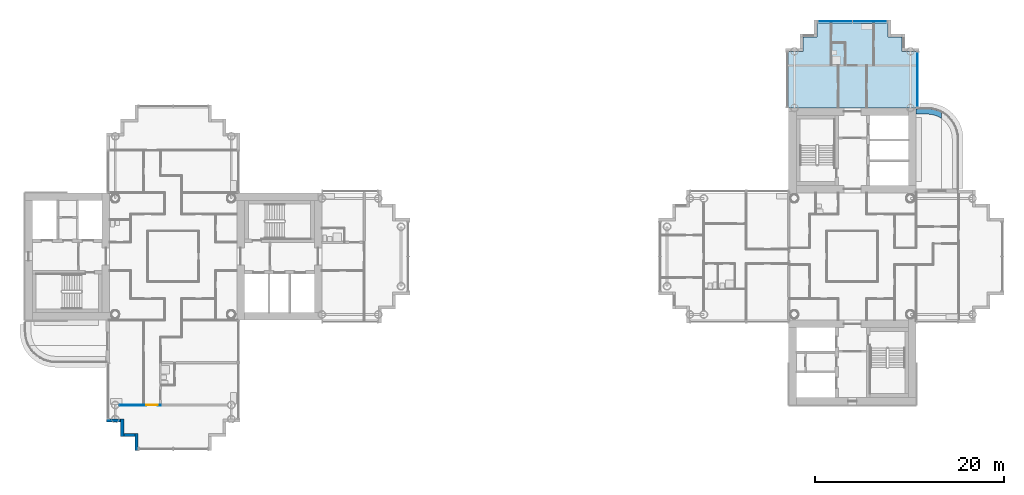
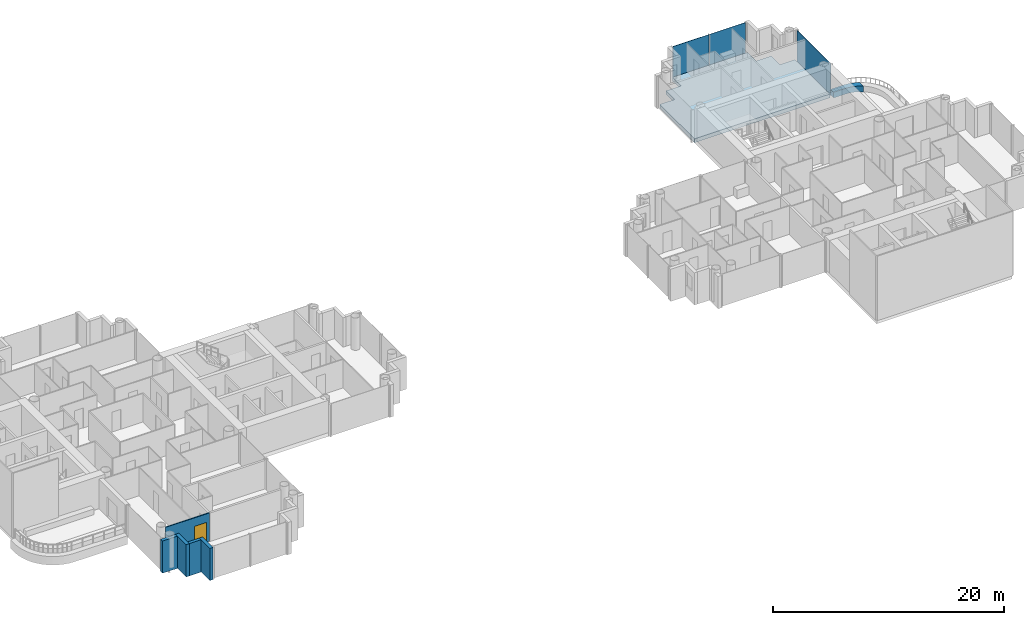
# One storey, part 6 of 20: 5 walls, 3 plates, 2 slabs, 1 door, 1 opening, 2 elements without a shape of their own.
"""IFC4 building model written with IfcOpenShell, lengths in metres."""

from ifc_helpers import new_model, si_unit, direction, frame, frame_2d, origin, origin_2d, place, context, subcontext, project, spatial, polyline, rectangle, outline, extrude, material, layer, layer_set, type_object, element, fill, aggregate, save


model = new_model("IFC4")

# Units and contexts
model_context = context("Model", 3, precision=1e-05, world=origin(), true_north=direction((0.0, 1.0)))
body_context = subcontext(model_context, "Body", "Model", "MODEL_VIEW")
ifc_project = project(units=[si_unit("LENGTHUNIT", "METRE"), si_unit("AREAUNIT", "SQUARE_METRE"), si_unit("VOLUMEUNIT", "CUBIC_METRE"), si_unit("PLANEANGLEUNIT", "RADIAN"), si_unit("MASSUNIT", "GRAM", prefix="KILO")], contexts=[model_context])

# Site, building, storey
site_placement = place(None, origin())
site = spatial("IfcSite", under=ifc_project, at=site_placement, CompositionType="ELEMENT")
building_placement = place(site_placement, origin())
building = spatial("IfcBuilding", under=site, at=building_placement, Name="Ipe Terrace Towers", CompositionType="ELEMENT")
storey_placement = place(building_placement, frame((0.0, 0.0, 160.89990234375)))
storey = spatial("IfcBuildingStorey", under=building, at=storey_placement, Name="L44", CompositionType="ELEMENT", Elevation=160.89990234375)

# Slabs
ifc_material_1 = material(Name="Concrete C40/50", Category="concrete")
ifc_layer_1 = layer(ifc_material_1, 0.39990234375)
ifc_layer_set_1 = layer_set([ifc_layer_1], Name="FLAT PLATE SLAB 400 C40-50")
slab_type_1 = type_object("IfcSlabType", Name="FLAT PLATE SLAB 400 C40-50", PredefinedType="FLOOR", material=ifc_layer_set_1)
slab_1_placement = place(storey_placement, frame((0.0, 0.0, -0.39990234375)))
element("IfcSlab", 1, at=slab_1_placement, inside=storey, type_object=slab_type_1, Name="Slab T2-FS-Z32", PredefinedType="FLOOR", context=body_context, shape_type="SweptSolid", body=[
    extrude(outline(polyline([(30.75, 21.75), (30.75, 23.25), (32.25, 23.25), (32.25, 24.75), (39.75, 24.75), (39.75, 23.25), (41.25, 23.25), (41.25, 21.75), (42.75, 21.75), (42.75, 15.75), (29.25, 15.75), (29.25, 21.75), (30.75, 21.75)])), origin(), (0.0, 0.0, 1.0), 0.39990234375),
])
ifc_material_2 = material(Name="Concrete C30/37", Category="concrete")
ifc_layer_2 = layer(ifc_material_2, 0.60009765625)
ifc_layer_set_2 = layer_set([ifc_layer_2], Name="PLANTER TROUGH 550 x 600")
slab_type_2 = type_object("IfcSlabType", Name="PLANTER TROUGH 550 x 600", PredefinedType="USERDEFINED", material=ifc_layer_set_2)
slab_2_placement = place(storey_placement, frame((0.0, 0.0, -0.02001953125)))
element("IfcSlab", 2, at=slab_2_placement, inside=storey, type_object=slab_type_2, Name="planter", ObjectType="PLANTER", PredefinedType="USERDEFINED", context=body_context, shape_type="SweptSolid", body=[
    extrude(outline(polyline([(44.633056640625, 14.9990234375), (44.9599609375, 14.887939453125), (45.26904296875, 14.735107421875), (45.449951171875, 14.614013671875), (45.449951171875, 15.259033203125), (45.18701171875, 15.388916015625), (45.154052734375, 15.403076171875), (44.79296875, 15.52490234375), (44.758056640625, 15.534912109375), (44.384033203125, 15.60888671875), (44.347900390625, 15.614013671875), (43.955078125, 15.638916015625), (43.93701171875, 15.639892578125), (42.75, 15.639892578125), (42.75, 15.090087890625), (43.927978515625, 15.090087890625), (44.2939453125, 15.06591796875), (44.633056640625, 14.9990234375)])), origin(), (0.0, 0.0, 1.0), 0.60009765625),
])

# Curtain wall, plate
ifc_material_3 = material(Name="Aluminium alloy 6063-T6", Category="aluminium")
ifc_layer_3 = layer(ifc_material_3, 0.320068359375)
ifc_layer_set_3 = layer_set([ifc_layer_3], Name="TOWER UNITISED CURTAIN WALL")
curtain_wall_type = type_object("IfcCurtainWallType", Name="TOWER UNITISED CURTAIN WALL", PredefinedType="NOTDEFINED", material=ifc_layer_set_3)
curtain_wall_1_placement = place(storey_placement, origin())
curtain_wall_1 = element("IfcCurtainWall", 3, at=curtain_wall_1_placement, inside=storey, type_object=curtain_wall_type, Name="T2-CW-L44-16b curtain wall", PredefinedType="NOTDEFINED")
ifc_material_4 = material(Name="Glass, clear laminated", Category="glass")
ifc_layer_4 = layer(ifc_material_4, 0.031982421875)
ifc_layer_set_4 = layer_set([ifc_layer_4], Name="TOWER UNITISED GLASS PANEL 32")
plate_type = type_object("IfcPlateType", Name="TOWER UNITISED GLASS PANEL 32", PredefinedType="CURTAIN_PANEL", material=ifc_layer_set_4)
plate_1_placement = place(storey_placement, frame((42.909912109375, 18.75048828125, -0.2998046875), z_axis=(0.0, 0.0, 1.0), x_axis=(0.0, 1.0, 0.0)))
plate_1 = element("IfcPlate", 4, at=plate_1_placement, type_object=plate_type, Name="T2-CW-L44-16b panel 1", PredefinedType="CURTAIN_PANEL", context=body_context, shape_type="SweptSolid", body=[
    extrude(rectangle(XDim=5.759033203125, YDim=0.031982421875, at=origin_2d()), origin(), (0.0, 0.0, 1.0), 3.39990234375),
])
aggregate(curtain_wall_1, [plate_1])

# Curtain wall, plates
curtain_wall_2_placement = place(storey_placement, origin())
curtain_wall_2 = element("IfcCurtainWall", 5, at=curtain_wall_2_placement, inside=storey, type_object=curtain_wall_type, Name="T2-CW-L44-21a curtain wall", PredefinedType="NOTDEFINED")
plate_2_placement = place(storey_placement, frame((37.831298828125, 24.909912109375, -0.2998046875), z_axis=(0.0, 0.0, 1.0), x_axis=(-1.0, 0.0, 0.0)))
plate_2 = element("IfcPlate", 6, at=plate_2_placement, type_object=plate_type, Name="T2-CW-L44-21a panel 1", PredefinedType="CURTAIN_PANEL", context=body_context, shape_type="SweptSolid", body=[
    extrude(rectangle(XDim=3.597412109375, YDim=0.031982421875, at=origin_2d()), origin(), (0.0, 0.0, 1.0), 3.39990234375),
])
plate_3_placement = place(storey_placement, frame((34.168701171875, 24.909912109375, -0.2998046875), z_axis=(0.0, 0.0, 1.0), x_axis=(-1.0, 0.0, 0.0)))
plate_3 = element("IfcPlate", 7, at=plate_3_placement, type_object=plate_type, Name="T2-CW-L44-21a panel 2", PredefinedType="CURTAIN_PANEL", context=body_context, shape_type="SweptSolid", body=[
    extrude(rectangle(XDim=3.597412109375, YDim=0.031982421875, at=origin_2d()), origin(), (0.0, 0.0, 1.0), 3.39990234375),
])
aggregate(curtain_wall_2, [plate_2, plate_3])

# Walls
ifc_material_5 = material(Name="Concrete C40/50 with buff precast cladding", Category="concrete")
ifc_layer_5 = layer(ifc_material_5, 0.320068359375)
ifc_layer_set_5 = layer_set([ifc_layer_5], Name="BUFF CLADDING WALL 320")
wall_type_1 = type_object("IfcWallType", Name="BUFF CLADDING WALL 320", PredefinedType="STANDARD", material=ifc_layer_set_5)
wall_1_placement = place(storey_placement, frame((-43.070068359375, -17.409912109375, -0.2998046875), z_axis=(0.0, 0.0, 1.0), x_axis=(1.0, 0.0, 0.0)))
element("IfcWall", 8, at=wall_1_placement, inside=storey, type_object=wall_type_1, Name="T1-W-L44-04a wall", PredefinedType="STANDARD", context=body_context, shape_type="SweptSolid", body=[
    extrude(rectangle(XDim=1.5, YDim=0.320068359375, at=frame_2d((0.75, 0.0))), origin(), (0.0, 0.0, 1.0), 3.39990234375),
])
wall_2_placement = place(storey_placement, frame((-41.409912109375, -17.25, -0.2998046875), z_axis=(0.0, 0.0, 1.0), x_axis=(0.0, -1.0, 0.0)))
element("IfcWall", 9, at=wall_2_placement, inside=storey, type_object=wall_type_1, Name="T1-W-L44-05a wall", PredefinedType="STANDARD", context=body_context, shape_type="SweptSolid", body=[
    extrude(rectangle(XDim=1.820068359375, YDim=0.320068359375, at=frame_2d((0.91015625, 0.0))), origin(), (0.0, 0.0, 1.0), 3.39990234375),
])
wall_3_placement = place(storey_placement, frame((-41.25, -18.909912109375, -0.2998046875), z_axis=(0.0, 0.0, 1.0), x_axis=(1.0, 0.0, 0.0)))
element("IfcWall", 10, at=wall_3_placement, inside=storey, type_object=wall_type_1, Name="T1-W-L44-06a wall", PredefinedType="STANDARD", context=body_context, shape_type="SweptSolid", body=[
    extrude(rectangle(XDim=1.179931640625, YDim=0.320068359375, at=frame_2d((0.58984375, 0.0))), origin(), (0.0, 0.0, 1.0), 3.39990234375),
])
wall_4_placement = place(storey_placement, frame((-39.909912109375, -18.75, -0.2998046875), z_axis=(0.0, 0.0, 1.0), x_axis=(0.0, -1.0, 0.0)))
element("IfcWall", 11, at=wall_4_placement, inside=storey, type_object=wall_type_1, Name="T1-W-L44-07a wall", PredefinedType="STANDARD", context=body_context, shape_type="SweptSolid", body=[
    extrude(rectangle(XDim=1.820068359375, YDim=0.320068359375, at=frame_2d((0.91015625, 0.0))), origin(), (0.0, 0.0, 1.0), 3.39990234375),
])

# Wall, opening, door
ifc_material_6 = material(Name="Gypsum board partition", Category="plasterboard")
ifc_layer_6 = layer(ifc_material_6, 0.10009765625)
ifc_layer_set_6 = layer_set([ifc_layer_6], Name="Gypsum board partition 100 mm")
wall_type_2 = type_object("IfcWallType", Name="Gypsum board partition 100 mm", PredefinedType="PARTITIONING", material=ifc_layer_set_6)
wall_5_placement = place(storey_placement, frame((-41.75, -15.75, 0.0), z_axis=(0.0, 0.0, 1.0), x_axis=(1.0, 0.0, 0.0)))
wall_5 = element("IfcWall", 12, at=wall_5_placement, inside=storey, type_object=wall_type_2, Name="Gypsum board partition T1 L44 W20", PredefinedType="PARTITIONING", context=body_context, shape_type="SweptSolid", body=[
    extrude(rectangle(XDim=4.39990234375, YDim=0.10009765625, at=frame_2d((2.199951171875, 0.0))), origin(), (0.0, 0.0, 1.0), 3.0),
])
opening_placement = place(wall_5_placement, frame((2.89990234375, 0.0, 0.0)))
opening = element("IfcOpeningElement", 13, at=opening_placement, cuts=wall_5, Name="Opening T1-Z3C-17", PredefinedType="OPENING", context=body_context, shape_type="SweptSolid", body=[
    extrude(rectangle(XDim=1.199951171875, YDim=2.10009765625, at=frame_2d((0.60009765625, 1.050048828125))), frame((0.0, 0.06005859375, 0.0), z_axis=(0.0, -1.0, 0.0), x_axis=(1.0, 0.0, 0.0)), (0.0, 0.0, 1.0), 0.1201171875),
])
ifc_material_7 = material(Name="Timber door leaf", Category="wood")
door_type = type_object("IfcDoorType", Name="Lounge door 1200 x 2100", OperationType="NOTDEFINED", PredefinedType="DOOR", material=ifc_material_7)
door_placement = place(opening_placement, origin())
door = element("IfcDoor", 14, at=door_placement, inside=storey, type_object=door_type, Name="Lounge door T1-Z3C-17", OperationType="SINGLE_SWING_RIGHT", OverallHeight=2.10009765625, OverallWidth=1.199951171875, PredefinedType="DOOR", context=body_context, shape_type="SweptSolid", body=[
    extrude(rectangle(XDim=1.199951171875, YDim=2.10009765625, at=frame_2d((0.60009765625, 1.050048828125))), frame((0.0, 0.02490234375, 0.0), z_axis=(0.0, -1.0, 0.0), x_axis=(1.0, 0.0, 0.0)), (0.0, 0.0, 1.0), 0.050048828125),
])
fill(opening, door)

save(model, "model.ifc")
